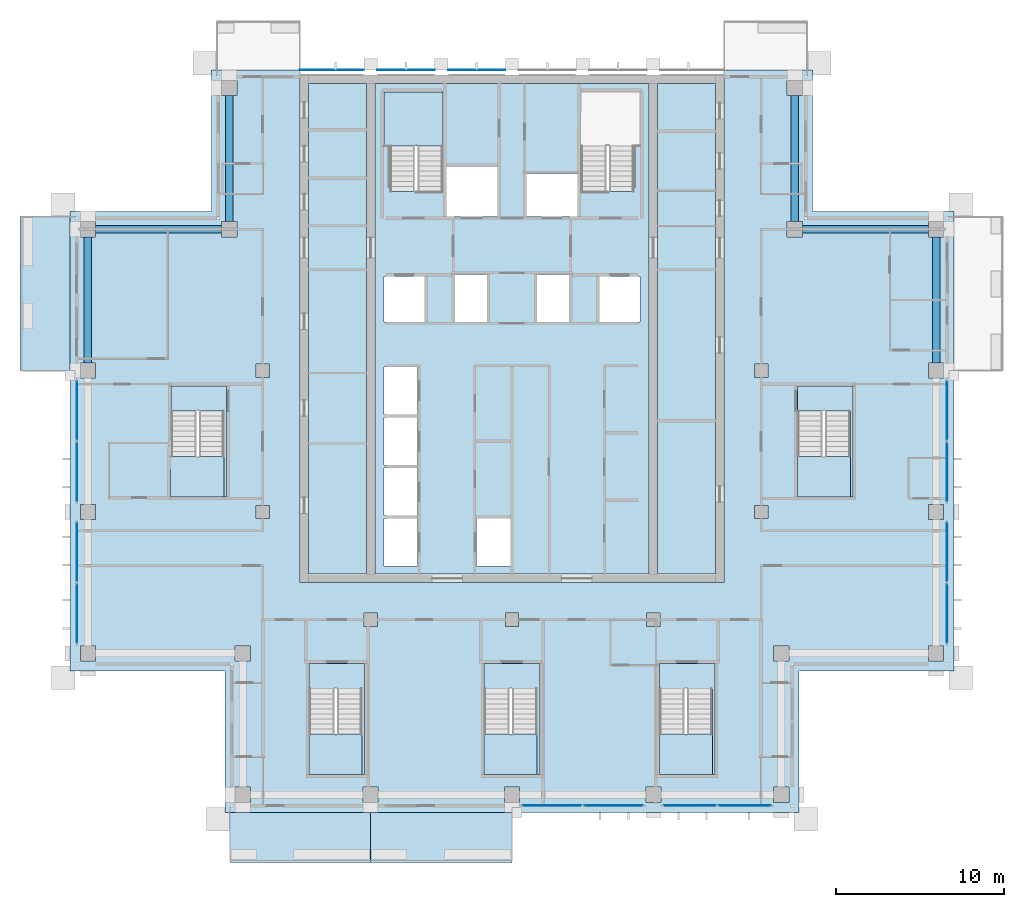
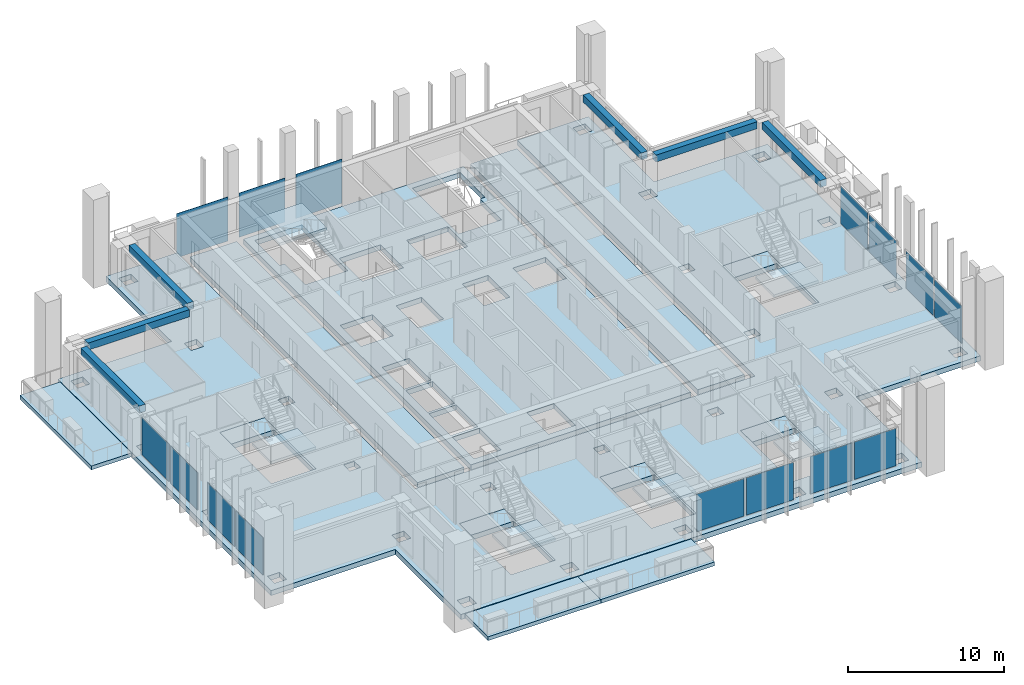
# One storey, part 5 of 16: 18 slabs, 15 plates, 6 beams, 12 elements without a shape of their own.
"""IFC4 building model written with IfcOpenShell, lengths in metres."""

import ifcopenshell
import ifcopenshell.guid

model = None  # the IFC model being written
_history = None  # IfcOwnerHistory: only IFC2X3 demands one
_inside = {}  # id of a spatial element -> (the spatial element, [elements in it])
_under = {}  # id of a project, library or spatial element -> (it, [spatial elements below it])
_declared = {}  # id of a project -> (the project, [libraries it declares])
_typed = {}  # id of a type object -> (the type object, [elements of that type])
_made_of = {}  # id of a material, layer set ... -> (it, [elements and type objects made of it])


def new_model(schema):
    """Start an empty IFC model of exactly this schema.

    Asked for "IFC4X3", IfcOpenShell would pick the latest addendum, in which some entities
    have other attributes; the version numbers below select the first issue.
    IFC2X3 requires an IfcOwnerHistory on every rooted entity: one is made here for all.
    """
    global model, _history
    if schema == "IFC4X3":
        model = ifcopenshell.file(schema_version=(4, 3, 0, 0))
    else:
        model = ifcopenshell.file(schema=schema)
    _inside.clear()
    _under.clear()
    _declared.clear()
    _typed.clear()
    _made_of.clear()
    _history = None
    if model.schema == "IFC2X3":
        org = make("IfcOrganization", Name="unknown")
        user = make(
            "IfcPersonAndOrganization",
            ThePerson=make("IfcPerson", FamilyName="unknown"),
            TheOrganization=org,
        )
        app = make(
            "IfcApplication",
            ApplicationDeveloper=org,
            Version="unknown",
            ApplicationFullName="unknown",
            ApplicationIdentifier="unknown",
        )
        _history = make(
            "IfcOwnerHistory",
            OwningUser=user,
            OwningApplication=app,
            ChangeAction="ADDED",
            CreationDate=0,
        )
    return model


def make(cls, **values):
    """One entity of the class cls with the attributes given. An attribute that is None is left unset."""
    return model.create_entity(
        cls, **{name: value for name, value in values.items() if value is not None}
    )


def rooted(cls, **values):
    """An entity with a GlobalId (a new one), such as an element, a storey or a relation."""
    return make(cls, GlobalId=ifcopenshell.guid.new(), OwnerHistory=_history, **values)


def si_unit(unit_type, name, prefix=None):
    """IfcSIUnit, for example si_unit("LENGTHUNIT", "METRE", prefix="MILLI")."""
    return make("IfcSIUnit", UnitType=unit_type, Prefix=prefix, Name=name)


def assignment(units):
    """IfcUnitAssignment: the units of a project."""
    return None if units is None else make("IfcUnitAssignment", Units=units)


def point(xyz):
    """IfcCartesianPoint."""
    return None if xyz is None else make("IfcCartesianPoint", Coordinates=xyz)


def direction(xyz):
    """IfcDirection."""
    return None if xyz is None else make("IfcDirection", DirectionRatios=xyz)


def frame(location, z_axis=None, x_axis=None):
    """IfcAxis2Placement3D, a coordinate frame: its origin and axes. An axis left out is left unset."""
    return make(
        "IfcAxis2Placement3D",
        Location=point(location),
        Axis=direction(z_axis),
        RefDirection=direction(x_axis),
    )


def frame_2d(location, x_axis=None):
    """IfcAxis2Placement2D, a coordinate frame in the plane: its origin and x axis."""
    return make(
        "IfcAxis2Placement2D", Location=point(location), RefDirection=direction(x_axis)
    )


def origin():
    """The frame at (0, 0, 0) with its axes left unset."""
    return frame((0.0, 0.0, 0.0))


def origin_2d():
    """The frame at (0, 0) in the plane with its x axis left unset."""
    return frame_2d((0.0, 0.0))


def place(relative_to, where):
    """IfcLocalPlacement: puts the frame where relative to a parent placement (None: the world)."""
    return make(
        "IfcLocalPlacement", PlacementRelTo=relative_to, RelativePlacement=where
    )


def context(
    kind, dimensions, precision=None, world=None, true_north=None, identifier=None
):
    """IfcGeometricRepresentationContext, for example the 3D "Model" context."""
    return make(
        "IfcGeometricRepresentationContext",
        ContextIdentifier=identifier,
        ContextType=kind,
        CoordinateSpaceDimension=dimensions,
        Precision=precision,
        WorldCoordinateSystem=world,
        TrueNorth=true_north,
    )


def subcontext(parent, identifier, kind, view, scale=None):
    """IfcGeometricRepresentationSubContext, for example "Body" below "Model"."""
    return make(
        "IfcGeometricRepresentationSubContext",
        ContextIdentifier=identifier,
        ContextType=kind,
        ParentContext=parent,
        TargetScale=scale,
        TargetView=view,
    )


def project(units=None, contexts=None):
    """IfcProject with its units and contexts."""
    return rooted(
        "IfcProject",
        Name="project",
        RepresentationContexts=contexts,
        UnitsInContext=assignment(units),
    )


def spatial(cls, under=None, at=None, **own):
    """A site, building, storey or space (cls), placed at a placement, below another one or the project."""
    s = rooted(cls, ObjectPlacement=at, **own)
    if under is not None:
        _under.setdefault(under.id(), (under, []))[1].append(s)
    return s


def polyline(points):
    """IfcPolyline through the points."""
    return make("IfcPolyline", Points=[point(p) for p in points])


def profile(cls, at=None, kind="AREA", **sizes):
    """A parametric profile (cls). Its sizes go by their IFC names, for example OverallWidth=200.0."""
    return make(cls, ProfileType=kind, Position=at, **sizes)


def rectangle(**sizes):
    """IfcRectangleProfileDef."""
    return profile("IfcRectangleProfileDef", **sizes)


def outline(outer, holes=None, kind="AREA"):
    """IfcArbitraryClosedProfileDef: a profile drawn as a closed curve; with holes, ...WithVoids."""
    if holes is None:
        return make("IfcArbitraryClosedProfileDef", ProfileType=kind, OuterCurve=outer)
    return make(
        "IfcArbitraryProfileDefWithVoids",
        ProfileType=kind,
        OuterCurve=outer,
        InnerCurves=holes,
    )


def extrude(swept, where, along, depth):
    """IfcExtrudedAreaSolid: the profile swept, set in the frame where, extruded along a direction by depth."""
    return make(
        "IfcExtrudedAreaSolid",
        SweptArea=swept,
        Position=where,
        ExtrudedDirection=direction(along),
        Depth=depth,
    )


def shape(context_of_items, identifier, shape_type, items):
    """IfcShapeRepresentation: the items that make up one representation, for example the "Body"."""
    return make(
        "IfcShapeRepresentation",
        ContextOfItems=context_of_items,
        RepresentationIdentifier=identifier,
        RepresentationType=shape_type,
        Items=items,
    )


def material(Name=None, Category=None):
    """IfcMaterial."""
    return make("IfcMaterial", Name=Name, Category=Category)


def layer(
    of_material, thickness, ventilated=None, Name=None, Category=None, Priority=None
):
    """IfcMaterialLayer: one layer of a wall or slab, of a material (None: an air gap)."""
    return make(
        "IfcMaterialLayer",
        Material=of_material,
        LayerThickness=thickness,
        IsVentilated=ventilated,
        Name=Name,
        Category=Category,
        Priority=Priority,
    )


def layer_set(layers, Name=None):
    """IfcMaterialLayerSet."""
    return make("IfcMaterialLayerSet", MaterialLayers=layers, LayerSetName=Name)


def material_profile(
    of_material, cross_section, Name=None, Category=None, Priority=None
):
    """IfcMaterialProfile: a cross section and its material."""
    return make(
        "IfcMaterialProfile",
        Name=Name,
        Material=of_material,
        Profile=cross_section,
        Priority=Priority,
        Category=Category,
    )


def profile_set(profiles, Name=None, composite=None):
    """IfcMaterialProfileSet."""
    return make(
        "IfcMaterialProfileSet",
        Name=Name,
        MaterialProfiles=profiles,
        CompositeProfile=composite,
    )


def made_of(thing, what):
    """Note that an element or type object is made of a material, layer set ...; save() writes the relation."""
    if what is not None:
        _made_of.setdefault(what.id(), (what, []))[1].append(thing)
    return thing


def type_object(cls, material=None, **own):
    """A type object (cls), such as IfcWallType, which elements share."""
    return made_of(rooted(cls, **own), material)


def element(
    cls,
    number,
    at=None,
    inside=None,
    cuts=None,
    type_object=None,
    material=None,
    context=None,
    identifier="Body",
    shape_type=None,
    held_by="IfcProductDefinitionShape",
    body=None,
    shapes=None,
    **own,
):
    """One element of the class cls, such as IfcWall. Its Tag is "e" and its number.

    at: its placement. inside: the storey or other place that contains it. cuts: it is an
    opening in that element (IfcRelVoidsElement). A single representation is given by context,
    identifier, shape_type and body (its items); several are given by shapes. held_by: the class
    of the entity that holds the representations. save() writes the other relations.
    """
    e = rooted(cls, Tag="e%d" % number, ObjectPlacement=at, **own)
    if body is not None:
        shapes = [shape(context, identifier, shape_type, body)]
    if shapes is not None:
        e.Representation = make(held_by, Representations=shapes)
    if inside is not None:
        _inside.setdefault(inside.id(), (inside, []))[1].append(e)
    if cuts is not None:
        rooted(
            "IfcRelVoidsElement", RelatingBuildingElement=cuts, RelatedOpeningElement=e
        )
    if type_object is not None:
        _typed.setdefault(type_object.id(), (type_object, []))[1].append(e)
    return made_of(e, material)


def aggregate(whole, parts):
    """IfcRelAggregates: a whole, such as a stair, and the parts it consists of."""
    return rooted("IfcRelAggregates", RelatingObject=whole, RelatedObjects=parts)


def save(model, path):
    """Write the relations noted so far, then the file.

    IfcRelAggregates (storeys below a building ...), IfcRelContainedInSpatialStructure (elements
    in a storey), IfcRelDefinesByType, IfcRelAssociatesMaterial and IfcRelDeclares: one each for
    every whole, place, type object, material and project.
    """
    for whole, parts in _under.values():
        aggregate(whole, parts)
    for where, things in _inside.values():
        rooted(
            "IfcRelContainedInSpatialStructure",
            RelatedElements=things,
            RelatingStructure=where,
        )
    for kind, things in _typed.values():
        rooted("IfcRelDefinesByType", RelatedObjects=things, RelatingType=kind)
    for what, things in _made_of.values():
        rooted("IfcRelAssociatesMaterial", RelatedObjects=things, RelatingMaterial=what)
    for by, libraries in _declared.values():
        rooted("IfcRelDeclares", RelatingContext=by, RelatedDefinitions=libraries)
    model.write(path)


model = new_model("IFC4")

# Units and contexts
model_context = context("Model", 3, precision=1e-05, world=origin(), true_north=direction((0.0, 1.0)))
body_context = subcontext(model_context, "Body", "Model", "MODEL_VIEW")
ifc_project = project(units=[si_unit("LENGTHUNIT", "METRE"), si_unit("AREAUNIT", "SQUARE_METRE"), si_unit("VOLUMEUNIT", "CUBIC_METRE"), si_unit("PLANEANGLEUNIT", "RADIAN"), si_unit("MASSUNIT", "GRAM", prefix="KILO")], contexts=[model_context])

# Site, building, storey
site_placement = place(None, origin())
site = spatial("IfcSite", under=ifc_project, at=site_placement, CompositionType="ELEMENT")
building_placement = place(site_placement, origin())
building = spatial("IfcBuilding", under=site, at=building_placement, Name="Vermilion Ogive Tower", CompositionType="ELEMENT")
storey_placement = place(building_placement, frame((0.0, 0.0, 233.800048828125)))
storey = spatial("IfcBuildingStorey", under=building, at=storey_placement, Name="L61", CompositionType="ELEMENT", Elevation=233.800048828125)

# Beams
ifc_material_1 = material(Name="Concrete B45", Category="concrete")
ifc_material_profile = material_profile(ifc_material_1, rectangle(XDim=0.449951171875, YDim=0.550048828125, at=origin_2d()), Name="450 x 550")
ifc_profile_set = profile_set([ifc_material_profile], Name="Concrete B45")
beam_type = type_object("IfcBeamType", Name="Edge beam 450 x 550 B45", PredefinedType="BEAM", material=ifc_profile_set)
for number, where, z_axis, x_axis, name in (
    (1, (25.199951171875, 4.64990234375, 2.77490234375), (0.0, 1.0, 0.0), (-1.0, 0.0, 0.0), "L61-EB-9"),
    (2, (24.75, 12.60009765625, 2.77490234375), (-1.0, 0.0, 0.0), (0.0, -1.0, 0.0), "L61-EB-10"),
    (3, (16.800048828125, 13.050048828125, 2.77490234375), (0.0, 1.0, 0.0), (-1.0, 0.0, 0.0), "L61-EB-11"),
    (4, (-16.800048828125, 20.550048828125, 2.77490234375), (0.0, -1.0, 0.0), (1.0, 0.0, 0.0), "L61-EB-12"),
    (5, (-17.25, 12.60009765625, 2.77490234375), (-1.0, 0.0, 0.0), (0.0, -1.0, 0.0), "L61-EB-13"),
    (6, (-25.199951171875, 12.14990234375, 2.77490234375), (0.0, -1.0, 0.0), (1.0, 0.0, 0.0), "L61-EB-14"),
):
    element("IfcBeam", number, at=place(storey_placement, frame(where, z_axis=z_axis, x_axis=x_axis)), inside=storey, type_object=beam_type, Name=name, PredefinedType="BEAM", context=body_context, shape_type="SweptSolid", body=[
        extrude(rectangle(XDim=0.449951171875, YDim=0.550048828125, at=origin_2d()), origin(), (0.0, 0.0, 1.0), 7.5),
    ])

# Slabs
ifc_material_2 = material(Name="Concrete B40", Category="concrete")
ifc_layer_1 = layer(ifc_material_2, 0.300048828125)
ifc_layer_set_1 = layer_set([ifc_layer_1], Name="Balcony slab")
slab_type_1 = type_object("IfcSlabType", Name="Balcony slab", PredefinedType="FLOOR", material=ifc_layer_set_1)
slab_1_placement = place(storey_placement, frame((0.0, 0.0, -0.340087890625)))
element("IfcSlab", 7, at=slab_1_placement, inside=storey, type_object=slab_type_1, Name="Balcony slab S01", PredefinedType="FLOOR", context=body_context, shape_type="SweptSolid", body=[
    extrude(outline(polyline([(-16.75, -25.030029296875), (-8.39990234375, -25.030029296875), (-8.39990234375, -22.050048828125), (-16.75, -22.050048828125), (-16.75, -25.030029296875)])), origin(), (0.0, 0.0, 1.0), 0.300048828125),
])
slab_2_placement = place(storey_placement, frame((0.0, 0.0, -0.340087890625)))
element("IfcSlab", 8, at=slab_2_placement, inside=storey, type_object=slab_type_1, Name="Balcony slab S02", PredefinedType="FLOOR", context=body_context, shape_type="SweptSolid", body=[
    extrude(outline(polyline([(-8.39990234375, -25.030029296875), (0.0, -25.030029296875), (0.0, -22.050048828125), (-8.39990234375, -22.050048828125), (-8.39990234375, -25.030029296875)])), origin(), (0.0, 0.0, 1.0), 0.300048828125),
])
slab_3_placement = place(storey_placement, frame((0.0, 0.0, -0.340087890625)))
element("IfcSlab", 9, at=slab_3_placement, inside=storey, type_object=slab_type_1, Name="Balcony slab W01", PredefinedType="FLOOR", context=body_context, shape_type="SweptSolid", body=[
    extrude(outline(polyline([(-29.22998046875, 13.35009765625), (-29.22998046875, 4.199951171875), (-26.25, 4.199951171875), (-26.25, 13.35009765625), (-29.22998046875, 13.35009765625)])), origin(), (0.0, 0.0, 1.0), 0.300048828125),
])

# Curtain wall, plates
ifc_material_3 = material(Name="Low-iron laminated glazing in aluminium frame", Category="aluminium")
curtain_wall_type = type_object("IfcCurtainWallType", Name="Curtain wall CW7", PredefinedType="NOTDEFINED", material=ifc_material_3)
curtain_wall_1_placement = place(storey_placement, origin())
curtain_wall_1 = element("IfcCurtainWall", 10, at=curtain_wall_1_placement, inside=storey, type_object=curtain_wall_type, Name="Glazed skin S3", PredefinedType="NOTDEFINED")
ifc_material_4 = material(Name="Low-iron laminated glazing in aluminium frame", Category="aluminium")
ifc_layer_2 = layer(ifc_material_4, 0.031982421875)
ifc_layer_set_2 = layer_set([ifc_layer_2], Name="CW7 glazing panel 32")
plate_type_1 = type_object("IfcPlateType", Name="CW7 glazing panel 32", PredefinedType="CURTAIN_PANEL", material=ifc_layer_set_2)
plate_1_placement = place(storey_placement, frame((2.3701171875, -21.64990234375, 0.06005859375), z_axis=(0.0, 0.0, 1.0), x_axis=(1.0, 0.0, 0.0)))
plate_1 = element("IfcPlate", 11, at=plate_1_placement, type_object=plate_type_1, Name="CW7-S3 panel 1.1", PredefinedType="CURTAIN_PANEL", context=body_context, shape_type="SweptSolid", body=[
    extrude(rectangle(XDim=3.47998046875, YDim=0.031982421875, at=origin_2d()), origin(), (0.0, 0.0, 1.0), 2.929931640625),
])
plate_2_placement = place(storey_placement, frame((6.030029296875, -21.64990234375, 0.06005859375), z_axis=(0.0, 0.0, 1.0), x_axis=(1.0, 0.0, 0.0)))
plate_2 = element("IfcPlate", 12, at=plate_2_placement, type_object=plate_type_1, Name="CW7-S3 panel 2.1", PredefinedType="CURTAIN_PANEL", context=body_context, shape_type="SweptSolid", body=[
    extrude(rectangle(XDim=3.47998046875, YDim=0.031982421875, at=origin_2d()), origin(), (0.0, 0.0, 1.0), 2.929931640625),
])
aggregate(curtain_wall_1, [plate_1, plate_2])

curtain_wall_2_placement = place(storey_placement, origin())
curtain_wall_2 = element("IfcCurtainWall", 13, at=curtain_wall_2_placement, inside=storey, type_object=curtain_wall_type, Name="Glazed skin S4", PredefinedType="NOTDEFINED")
plate_3_placement = place(storey_placement, frame((10.570068359375, -21.64990234375, 0.06005859375), z_axis=(0.0, 0.0, 1.0), x_axis=(1.0, 0.0, 0.0)))
plate_3 = element("IfcPlate", 14, at=plate_3_placement, type_object=plate_type_1, Name="CW7-S4 panel 1.1", PredefinedType="CURTAIN_PANEL", context=body_context, shape_type="SweptSolid", body=[
    extrude(rectangle(XDim=3.080078125, YDim=0.031982421875, at=origin_2d()), origin(), (0.0, 0.0, 1.0), 2.929931640625),
])
plate_4_placement = place(storey_placement, frame((13.830078125, -21.64990234375, 0.06005859375), z_axis=(0.0, 0.0, 1.0), x_axis=(1.0, 0.0, 0.0)))
plate_4 = element("IfcPlate", 15, at=plate_4_placement, type_object=plate_type_1, Name="CW7-S4 panel 2.1", PredefinedType="CURTAIN_PANEL", context=body_context, shape_type="SweptSolid", body=[
    extrude(rectangle(XDim=3.080078125, YDim=0.031982421875, at=origin_2d()), origin(), (0.0, 0.0, 1.0), 2.929931640625),
])
aggregate(curtain_wall_2, [plate_3, plate_4])

curtain_wall_3_placement = place(storey_placement, origin())
curtain_wall_3 = element("IfcCurtainWall", 16, at=curtain_wall_3_placement, inside=storey, type_object=curtain_wall_type, Name="Glazed skin E1", PredefinedType="NOTDEFINED")
plate_5_placement = place(storey_placement, frame((25.85009765625, -10.22998046875, 0.06005859375), z_axis=(0.0, 0.0, 1.0), x_axis=(0.0, 1.0, 0.0)))
plate_5 = element("IfcPlate", 17, at=plate_5_placement, type_object=plate_type_1, Name="CW7-E1 panel 1.1", PredefinedType="CURTAIN_PANEL", context=body_context, shape_type="SweptSolid", body=[
    extrude(rectangle(XDim=3.47998046875, YDim=0.031982421875, at=origin_2d()), origin(), (0.0, 0.0, 1.0), 2.929931640625),
])
plate_6_placement = place(storey_placement, frame((25.85009765625, -6.570068359375, 0.06005859375), z_axis=(0.0, 0.0, 1.0), x_axis=(0.0, 1.0, 0.0)))
plate_6 = element("IfcPlate", 18, at=plate_6_placement, type_object=plate_type_1, Name="CW7-E1 panel 2.1", PredefinedType="CURTAIN_PANEL", context=body_context, shape_type="SweptSolid", body=[
    extrude(rectangle(XDim=3.47998046875, YDim=0.031982421875, at=origin_2d()), origin(), (0.0, 0.0, 1.0), 2.929931640625),
])
aggregate(curtain_wall_3, [plate_5, plate_6])

curtain_wall_4_placement = place(storey_placement, origin())
curtain_wall_4 = element("IfcCurtainWall", 19, at=curtain_wall_4_placement, inside=storey, type_object=curtain_wall_type, Name="Glazed skin E2", PredefinedType="NOTDEFINED")
plate_7_placement = place(storey_placement, frame((25.85009765625, -1.830078125, 0.06005859375), z_axis=(0.0, 0.0, 1.0), x_axis=(0.0, 1.0, 0.0)))
plate_7 = element("IfcPlate", 20, at=plate_7_placement, type_object=plate_type_1, Name="CW7-E2 panel 1.1", PredefinedType="CURTAIN_PANEL", context=body_context, shape_type="SweptSolid", body=[
    extrude(rectangle(XDim=3.47998046875, YDim=0.031982421875, at=origin_2d()), origin(), (0.0, 0.0, 1.0), 2.929931640625),
])
plate_8_placement = place(storey_placement, frame((25.85009765625, 1.830078125, 0.06005859375), z_axis=(0.0, 0.0, 1.0), x_axis=(0.0, 1.0, 0.0)))
plate_8 = element("IfcPlate", 21, at=plate_8_placement, type_object=plate_type_1, Name="CW7-E2 panel 2.1", PredefinedType="CURTAIN_PANEL", context=body_context, shape_type="SweptSolid", body=[
    extrude(rectangle(XDim=3.47998046875, YDim=0.031982421875, at=origin_2d()), origin(), (0.0, 0.0, 1.0), 2.929931640625),
])
aggregate(curtain_wall_4, [plate_7, plate_8])

curtain_wall_5_placement = place(storey_placement, origin())
curtain_wall_5 = element("IfcCurtainWall", 22, at=curtain_wall_5_placement, inside=storey, type_object=curtain_wall_type, Name="Glazed skin W2", PredefinedType="NOTDEFINED")
plate_9_placement = place(storey_placement, frame((-25.85009765625, 1.830078125, 0.06005859375), z_axis=(0.0, 0.0, 1.0), x_axis=(0.0, -1.0, 0.0)))
plate_9 = element("IfcPlate", 23, at=plate_9_placement, type_object=plate_type_1, Name="CW7-W2 panel 1.1", PredefinedType="CURTAIN_PANEL", context=body_context, shape_type="SweptSolid", body=[
    extrude(rectangle(XDim=3.47998046875, YDim=0.031982421875, at=origin_2d()), origin(), (0.0, 0.0, 1.0), 2.929931640625),
])
plate_10_placement = place(storey_placement, frame((-25.85009765625, -1.830078125, 0.06005859375), z_axis=(0.0, 0.0, 1.0), x_axis=(0.0, -1.0, 0.0)))
plate_10 = element("IfcPlate", 24, at=plate_10_placement, type_object=plate_type_1, Name="CW7-W2 panel 2.1", PredefinedType="CURTAIN_PANEL", context=body_context, shape_type="SweptSolid", body=[
    extrude(rectangle(XDim=3.47998046875, YDim=0.031982421875, at=origin_2d()), origin(), (0.0, 0.0, 1.0), 2.929931640625),
])
aggregate(curtain_wall_5, [plate_9, plate_10])

curtain_wall_6_placement = place(storey_placement, origin())
curtain_wall_6 = element("IfcCurtainWall", 25, at=curtain_wall_6_placement, inside=storey, type_object=curtain_wall_type, Name="Glazed skin W3", PredefinedType="NOTDEFINED")
plate_11_placement = place(storey_placement, frame((-25.85009765625, -6.570068359375, 0.06005859375), z_axis=(0.0, 0.0, 1.0), x_axis=(0.0, -1.0, 0.0)))
plate_11 = element("IfcPlate", 26, at=plate_11_placement, type_object=plate_type_1, Name="CW7-W3 panel 1.1", PredefinedType="CURTAIN_PANEL", context=body_context, shape_type="SweptSolid", body=[
    extrude(rectangle(XDim=3.47998046875, YDim=0.031982421875, at=origin_2d()), origin(), (0.0, 0.0, 1.0), 2.929931640625),
])
plate_12_placement = place(storey_placement, frame((-25.85009765625, -10.22998046875, 0.06005859375), z_axis=(0.0, 0.0, 1.0), x_axis=(0.0, -1.0, 0.0)))
plate_12 = element("IfcPlate", 27, at=plate_12_placement, type_object=plate_type_1, Name="CW7-W3 panel 2.1", PredefinedType="CURTAIN_PANEL", context=body_context, shape_type="SweptSolid", body=[
    extrude(rectangle(XDim=3.47998046875, YDim=0.031982421875, at=origin_2d()), origin(), (0.0, 0.0, 1.0), 2.929931640625),
])
aggregate(curtain_wall_6, [plate_11, plate_12])

# Slabs
ifc_material_5 = material(Name="Concrete B40", Category="concrete")
ifc_layer_3 = layer(ifc_material_5, 0.39990234375)
ifc_layer_set_3 = layer_set([ifc_layer_3], Name="Core floor slab 400 B40")
slab_type_2 = type_object("IfcSlabType", Name="Core floor slab 400 B40", PredefinedType="FLOOR", material=ifc_layer_set_3)
slab_4_placement = place(storey_placement, frame((0.0, 0.0, -0.400146484375)))
element("IfcSlab", 28, at=slab_4_placement, inside=storey, type_object=slab_type_2, Name="L61-CK-FS1", PredefinedType="FLOOR", context=body_context, shape_type="SweptSolid", body=[
    extrude(outline(polyline([(-8.654052734375, 21.24609375), (-8.654052734375, -7.89599609375), (-12.095947265625, -7.89599609375), (-12.095947265625, 21.24609375), (-8.654052734375, 21.24609375)])), origin(), (0.0, 0.0, 1.0), 0.400146484375),
])
slab_5_placement = place(storey_placement, frame((0.0, 0.0, -0.400146484375)))
element("IfcSlab", 29, at=slab_5_placement, inside=storey, type_object=slab_type_2, Name="L61-CK-FS2", PredefinedType="FLOOR", context=body_context, shape_type="SweptSolid", body=[
    extrude(outline(polyline([(-8.14599609375, -7.89599609375), (8.14599609375, -7.89599609375), (8.14599609375, 21.24609375), (-8.14599609375, 21.24609375), (-8.14599609375, -7.89599609375)]), holes=[polyline([(-7.60009765625, -7.39990234375), (-7.60009765625, -4.60009765625), (-5.60009765625, -4.60009765625), (-5.60009765625, -7.39990234375), (-7.60009765625, -7.39990234375)]), polyline([(-7.60009765625, -4.39990234375), (-7.60009765625, -1.60009765625), (-5.60009765625, -1.60009765625), (-5.60009765625, -4.39990234375), (-7.60009765625, -4.39990234375)]), polyline([(-7.60009765625, -1.39990234375), (-7.60009765625, 1.39990234375), (-5.60009765625, 1.39990234375), (-5.60009765625, -1.39990234375), (-7.60009765625, -1.39990234375)]), polyline([(-7.60009765625, 1.60009765625), (-7.60009765625, 4.39990234375), (-5.60009765625, 4.39990234375), (-5.60009765625, 1.60009765625), (-7.60009765625, 1.60009765625)]), polyline([(-7.60009765625, 7.10009765625), (-7.60009765625, 9.800048828125), (-5.199951171875, 9.800048828125), (-5.199951171875, 7.10009765625), (-7.60009765625, 7.10009765625)]), polyline([(-3.39990234375, 9.89990234375), (-1.5, 9.89990234375), (-1.5, 7.10009765625), (-3.39990234375, 7.10009765625), (-3.39990234375, 9.89990234375)]), polyline([(-7.60009765625, 17.550048828125), (-7.60009765625, 20.75), (-4.10009765625, 20.75), (-4.10009765625, 14.85205078125), (-5.60009765625, 14.85205078125), (-5.60009765625, 14.85009765625), (-5.75, 14.85009765625), (-5.75, 14.85205078125), (-7.25, 14.85205078125), (-7.25, 17.550048828125), (-7.60009765625, 17.550048828125)]), polyline([(-2.10009765625, -7.39990234375), (-2.10009765625, -4.60009765625), (-0.10009765625, -4.60009765625), (-0.10009765625, -7.39990234375), (-2.10009765625, -7.39990234375)]), polyline([(5.199951171875, 7.10009765625), (5.199951171875, 9.800048828125), (7.60009765625, 9.800048828125), (7.60009765625, 7.10009765625), (5.199951171875, 7.10009765625)]), polyline([(1.5, 7.10009765625), (1.5, 9.89990234375), (3.39990234375, 9.89990234375), (3.39990234375, 7.10009765625), (1.5, 7.10009765625)]), polyline([(0.85009765625, 13.35009765625), (0.85009765625, 15.89990234375), (3.89990234375, 15.89990234375), (3.89990234375, 13.35009765625), (0.85009765625, 13.35009765625)]), polyline([(-3.89990234375, 16.300048828125), (-0.85009765625, 16.300048828125), (-0.85009765625, 13.35009765625), (-3.89990234375, 13.35009765625), (-3.89990234375, 16.300048828125)]), polyline([(5.75, 14.85009765625), (5.60009765625, 14.85009765625), (5.60009765625, 14.85205078125), (4.10009765625, 14.85205078125), (4.10009765625, 17.550048828125), (4.074951171875, 17.550048828125), (4.074951171875, 20.75), (7.60009765625, 20.75), (7.60009765625, 17.550048828125), (7.25, 17.550048828125), (7.25, 14.85205078125), (5.75, 14.85205078125), (5.75, 14.85009765625)])]), origin(), (0.0, 0.0, 1.0), 0.400146484375),
])
slab_6_placement = place(storey_placement, frame((0.0, 0.0, -0.400146484375)))
element("IfcSlab", 30, at=slab_6_placement, inside=storey, type_object=slab_type_2, Name="L61-CK-FS3", PredefinedType="FLOOR", context=body_context, shape_type="SweptSolid", body=[
    extrude(outline(polyline([(8.654052734375, 21.24609375), (12.095947265625, 21.24609375), (12.095947265625, -7.89599609375), (8.654052734375, -7.89599609375), (8.654052734375, 21.24609375)])), origin(), (0.0, 0.0, 1.0), 0.400146484375),
])
slab_7_placement = place(storey_placement, frame((0.0, 0.0, -0.400146484375)))
element("IfcSlab", 31, at=slab_7_placement, inside=storey, type_object=slab_type_2, Name="L61-SF-ST3-1", PredefinedType="FLOOR", context=body_context, shape_type="SweptSolid", body=[
    extrude(outline(polyline([(-12.050048828125, -13.199951171875), (-12.050048828125, -14.701904296875), (-10.550048828125, -14.701904296875), (-10.550048828125, -14.699951171875), (-10.39990234375, -14.699951171875), (-10.39990234375, -14.701904296875), (-8.89990234375, -14.701904296875), (-8.89990234375, -19.800048828125), (-8.75, -19.800048828125), (-8.75, -13.199951171875), (-12.050048828125, -13.199951171875)])), origin(), (0.0, 0.0, 1.0), 0.400146484375),
])
slab_8_placement = place(storey_placement, frame((0.0, 0.0, -0.400146484375)))
element("IfcSlab", 32, at=slab_8_placement, inside=storey, type_object=slab_type_2, Name="L61-SF-ST4-1", PredefinedType="FLOOR", context=body_context, shape_type="SweptSolid", body=[
    extrude(outline(polyline([(-1.64990234375, -13.199951171875), (-1.64990234375, -14.701904296875), (-0.14990234375, -14.701904296875), (-0.14990234375, -14.699951171875), (0.0, -14.699951171875), (0.0, -14.701904296875), (1.5, -14.701904296875), (1.5, -19.800048828125), (1.64990234375, -19.800048828125), (1.64990234375, -13.199951171875), (-1.64990234375, -13.199951171875)])), origin(), (0.0, 0.0, 1.0), 0.400146484375),
])
slab_9_placement = place(storey_placement, frame((0.0, 0.0, -0.400146484375)))
element("IfcSlab", 33, at=slab_9_placement, inside=storey, type_object=slab_type_2, Name="L61-SF-ST5-1", PredefinedType="FLOOR", context=body_context, shape_type="SweptSolid", body=[
    extrude(outline(polyline([(8.75, -13.199951171875), (8.75, -14.701904296875), (10.25, -14.701904296875), (10.25, -14.699951171875), (10.39990234375, -14.699951171875), (10.39990234375, -14.701904296875), (11.89990234375, -14.701904296875), (11.89990234375, -19.800048828125), (12.050048828125, -19.800048828125), (12.050048828125, -13.199951171875), (8.75, -13.199951171875)])), origin(), (0.0, 0.0, 1.0), 0.400146484375),
])
slab_10_placement = place(storey_placement, frame((0.0, 0.0, -0.400146484375)))
element("IfcSlab", 34, at=slab_10_placement, inside=storey, type_object=slab_type_2, Name="L61-SF-ST8-1", PredefinedType="FLOOR", context=body_context, shape_type="SweptSolid", body=[
    extrude(outline(polyline([(16.949951171875, 3.300048828125), (16.949951171875, 1.798095703125), (18.449951171875, 1.798095703125), (18.449951171875, 1.800048828125), (18.60009765625, 1.800048828125), (18.60009765625, 1.798095703125), (20.10009765625, 1.798095703125), (20.10009765625, -3.300048828125), (20.25, -3.300048828125), (20.25, 3.300048828125), (16.949951171875, 3.300048828125)])), origin(), (0.0, 0.0, 1.0), 0.400146484375),
])
slab_11_placement = place(storey_placement, frame((0.0, 0.0, -0.400146484375)))
element("IfcSlab", 35, at=slab_11_placement, inside=storey, type_object=slab_type_2, Name="L61-SF-ST9-1", PredefinedType="FLOOR", context=body_context, shape_type="SweptSolid", body=[
    extrude(outline(polyline([(-20.25, 3.300048828125), (-20.25, 1.798095703125), (-18.75, 1.798095703125), (-18.75, 1.800048828125), (-18.60009765625, 1.800048828125), (-18.60009765625, 1.798095703125), (-17.10009765625, 1.798095703125), (-17.10009765625, -3.300048828125), (-16.949951171875, -3.300048828125), (-16.949951171875, 3.300048828125), (-20.25, 3.300048828125)])), origin(), (0.0, 0.0, 1.0), 0.400146484375),
])

# Plates
ifc_material_6 = material(Name="Low-iron laminated glazing in aluminium frame", Category="aluminium")
ifc_layer_4 = layer(ifc_material_6, 0.031982421875)
ifc_layer_set_4 = layer_set([ifc_layer_4], Name="Glazed rainscreen sheet 32")
plate_type_2 = type_object("IfcPlateType", Name="Glazed rainscreen sheet 32", PredefinedType="SHEET", material=ifc_layer_set_4)
plate_13_placement = place(storey_placement, frame((-10.7099609375, 22.06591796875, -0.39990234375), z_axis=(0.0, 0.0, 1.0), x_axis=(1.0, 0.0, 0.0)))
element("IfcPlate", 36, at=plate_13_placement, inside=storey, type_object=plate_type_2, Name="Glazed rainscreen sheet N1", PredefinedType="SHEET", context=body_context, shape_type="SweptSolid", body=[
    extrude(rectangle(XDim=3.820068359375, YDim=0.031982421875, at=origin_2d()), origin(), (0.0, 0.0, 1.0), 3.449951171875),
])
for number, where, z_axis, x_axis, name in (
    (37, (-6.300048828125, 22.06591796875, -0.39990234375), (0.0, 0.0, 1.0), (1.0, 0.0, 0.0), "Glazed rainscreen sheet N2"),
    (38, (-2.10009765625, 22.06591796875, -0.39990234375), (0.0, 0.0, 1.0), (1.0, 0.0, 0.0), "Glazed rainscreen sheet N3"),
):
    element("IfcPlate", number, at=place(storey_placement, frame(where, z_axis=z_axis, x_axis=x_axis)), inside=storey, type_object=plate_type_2, Name=name, PredefinedType="SHEET", context=body_context, shape_type="SweptSolid", body=[
        extrude(rectangle(XDim=3.39990234375, YDim=0.031982421875, at=origin_2d()), origin(), (0.0, 0.0, 1.0), 3.449951171875),
    ])

# Slab
ifc_material_7 = material(Name="Concrete B45", Category="concrete")
ifc_layer_5 = layer(ifc_material_7, 0.39990234375)
ifc_layer_set_5 = layer_set([ifc_layer_5], Name="Post-tensioned flat plate 400 B45")
slab_type_3 = type_object("IfcSlabType", Name="Post-tensioned flat plate 400 B45", PredefinedType="FLOOR", material=ifc_layer_set_5)
slab_12_placement = place(storey_placement, frame((0.0, 0.0, -0.400146484375)))
element("IfcSlab", 39, at=slab_12_placement, inside=storey, type_object=slab_type_3, Name="L61-SL-1", PredefinedType="FLOOR", context=body_context, shape_type="SweptSolid", body=[
    extrude(outline(polyline([(-26.25, -13.64990234375), (-17.050048828125, -13.64990234375), (-17.050048828125, -22.050048828125), (17.050048828125, -22.050048828125), (17.050048828125, -13.64990234375), (26.25, -13.64990234375), (26.25, 13.64990234375), (17.85009765625, 13.64990234375), (17.85009765625, 22.050048828125), (12.60009765625, 22.050048828125), (12.60009765625, -8.39990234375), (-12.60009765625, -8.39990234375), (-12.60009765625, 22.050048828125), (-17.85009765625, 22.050048828125), (-17.85009765625, 13.64990234375), (-26.25, 13.64990234375), (-26.25, -13.64990234375)]), holes=[polyline([(25.64990234375, -3.75), (25.64990234375, -4.64990234375), (24.75, -4.64990234375), (24.75, -3.75), (25.64990234375, -3.75)]), polyline([(25.64990234375, -12.14990234375), (25.64990234375, -13.050048828125), (24.75, -13.050048828125), (24.75, -12.14990234375), (25.64990234375, -12.14990234375)]), polyline([(25.64990234375, 12.14990234375), (24.75, 12.14990234375), (24.75, 13.050048828125), (25.64990234375, 13.050048828125), (25.64990234375, 12.14990234375)]), polyline([(25.64990234375, 3.75), (24.75, 3.75), (24.75, 4.64990234375), (25.64990234375, 4.64990234375), (25.64990234375, 3.75)]), polyline([(20.25, -3.2998046875), (20.25, -3.300048828125), (16.949951171875, -3.300048828125), (16.949951171875, 3.300048828125), (20.25, 3.300048828125), (20.25, -0.89990234375), (20.275146484375, -0.89990234375), (20.275146484375, -3.2998046875), (20.25, -3.2998046875)]), polyline([(17.25, 13.050048828125), (17.25, 12.14990234375), (16.35009765625, 12.14990234375), (16.35009765625, 13.050048828125), (17.25, 13.050048828125)]), polyline([(17.25, 20.550048828125), (16.35009765625, 20.550048828125), (16.35009765625, 21.449951171875), (17.25, 21.449951171875), (17.25, 20.550048828125)]), polyline([(16.449951171875, -12.14990234375), (16.449951171875, -13.050048828125), (15.550048828125, -13.050048828125), (15.550048828125, -12.14990234375), (16.449951171875, -12.14990234375)]), polyline([(16.449951171875, -20.550048828125), (16.449951171875, -21.449951171875), (15.550048828125, -21.449951171875), (15.550048828125, -20.550048828125), (16.449951171875, -20.550048828125)]), polyline([(15.199951171875, 4.60009765625), (15.199951171875, 3.800048828125), (14.39990234375, 3.800048828125), (14.39990234375, 4.60009765625), (15.199951171875, 4.60009765625)]), polyline([(15.199951171875, -4.60009765625), (14.39990234375, -4.60009765625), (14.39990234375, -3.800048828125), (15.199951171875, -3.800048828125), (15.199951171875, -4.60009765625)]), polyline([(12.050048828125, -13.199951171875), (12.050048828125, -19.800048828125), (8.75, -19.800048828125), (8.75, -13.199951171875), (12.050048828125, -13.199951171875)]), polyline([(8.85009765625, -20.550048828125), (8.85009765625, -21.449951171875), (7.949951171875, -21.449951171875), (7.949951171875, -20.550048828125), (8.85009765625, -20.550048828125)]), polyline([(8.800048828125, -11.0), (8.0, -11.0), (8.0, -10.199951171875), (8.800048828125, -10.199951171875), (8.800048828125, -11.0)]), polyline([(1.64990234375, -13.199951171875), (1.64990234375, -19.800048828125), (-1.64990234375, -19.800048828125), (-1.64990234375, -13.199951171875), (1.64990234375, -13.199951171875)]), polyline([(0.449951171875, -20.550048828125), (0.449951171875, -21.449951171875), (-0.449951171875, -21.449951171875), (-0.449951171875, -20.550048828125), (0.449951171875, -20.550048828125)]), polyline([(0.39990234375, -10.199951171875), (0.39990234375, -11.0), (-0.39990234375, -11.0), (-0.39990234375, -10.199951171875), (0.39990234375, -10.199951171875)]), polyline([(-7.949951171875, -20.550048828125), (-7.949951171875, -21.449951171875), (-8.85009765625, -21.449951171875), (-8.85009765625, -20.550048828125), (-7.949951171875, -20.550048828125)]), polyline([(-8.0, -10.199951171875), (-8.0, -11.0), (-8.800048828125, -11.0), (-8.800048828125, -10.199951171875), (-8.0, -10.199951171875)]), polyline([(-8.75, -13.199951171875), (-8.75, -19.800048828125), (-12.050048828125, -19.800048828125), (-12.050048828125, -13.199951171875), (-8.75, -13.199951171875)]), polyline([(-14.39990234375, 4.60009765625), (-14.39990234375, 3.800048828125), (-15.199951171875, 3.800048828125), (-15.199951171875, 4.60009765625), (-14.39990234375, 4.60009765625)]), polyline([(-14.39990234375, -4.60009765625), (-15.199951171875, -4.60009765625), (-15.199951171875, -3.800048828125), (-14.39990234375, -3.800048828125), (-14.39990234375, -4.60009765625)]), polyline([(-15.550048828125, -12.14990234375), (-15.550048828125, -13.050048828125), (-16.449951171875, -13.050048828125), (-16.449951171875, -12.14990234375), (-15.550048828125, -12.14990234375)]), polyline([(-15.550048828125, -20.550048828125), (-15.550048828125, -21.449951171875), (-16.449951171875, -21.449951171875), (-16.449951171875, -20.550048828125), (-15.550048828125, -20.550048828125)]), polyline([(-16.35009765625, 13.050048828125), (-16.35009765625, 12.14990234375), (-17.25, 12.14990234375), (-17.25, 13.050048828125), (-16.35009765625, 13.050048828125)]), polyline([(-16.35009765625, 20.550048828125), (-17.25, 20.550048828125), (-17.25, 21.449951171875), (-16.35009765625, 21.449951171875), (-16.35009765625, 20.550048828125)]), polyline([(-16.949951171875, 3.300048828125), (-16.949951171875, -3.300048828125), (-20.25, -3.300048828125), (-20.25, 3.300048828125), (-16.949951171875, 3.300048828125)]), polyline([(-24.75, 3.75), (-25.64990234375, 3.75), (-25.64990234375, 4.64990234375), (-24.75, 4.64990234375), (-24.75, 3.75)]), polyline([(-24.75, 13.050048828125), (-24.75, 12.14990234375), (-25.64990234375, 12.14990234375), (-25.64990234375, 13.050048828125), (-24.75, 13.050048828125)]), polyline([(-24.75, -3.75), (-24.75, -4.64990234375), (-25.64990234375, -4.64990234375), (-25.64990234375, -3.75), (-24.75, -3.75)]), polyline([(-24.75, -12.14990234375), (-24.75, -13.050048828125), (-25.64990234375, -13.050048828125), (-25.64990234375, -12.14990234375), (-24.75, -12.14990234375)])]), origin(), (0.0, 0.0, 1.0), 0.400146484375),
])

# Stair, slab
ifc_material_8 = material(Name="Concrete B40", Category="concrete")
stair_type = type_object("IfcStairType", Name="Exit stair 1500", PredefinedType="HALF_TURN_STAIR", material=ifc_material_8)
stair_1_placement = place(storey_placement, origin())
stair_1 = element("IfcStair", 40, at=stair_1_placement, inside=storey, type_object=stair_type, Name="L61 Exit Stair ST1", PredefinedType="HALF_TURN_STAIR")
ifc_material_9 = material(Name="Concrete B40", Category="concrete")
ifc_layer_6 = layer(ifc_material_9, 0.199951171875)
ifc_layer_set_6 = layer_set([ifc_layer_6], Name="Stair landing 200")
slab_type_4 = type_object("IfcSlabType", Name="Stair landing 200", PredefinedType="LANDING", material=ifc_layer_set_6)
slab_13_placement = place(storey_placement, frame((0.0, 0.0, 1.52490234375)))
slab_13 = element("IfcSlab", 41, at=slab_13_placement, type_object=slab_type_4, Name="ST1 landing 1", PredefinedType="LANDING", context=body_context, shape_type="SweptSolid", body=[
    extrude(outline(polyline([(-7.60009765625, 17.550048828125), (-7.25, 17.550048828125), (-7.25, 17.548095703125), (-5.75, 17.548095703125), (-5.75, 17.550048828125), (-5.60009765625, 17.550048828125), (-5.60009765625, 17.548095703125), (-4.10009765625, 17.548095703125), (-4.10009765625, 20.75), (-7.60009765625, 20.75), (-7.60009765625, 17.550048828125)])), origin(), (0.0, 0.0, 1.0), 0.199951171875),
])
aggregate(stair_1, [slab_13])

stair_2_placement = place(storey_placement, origin())
stair_2 = element("IfcStair", 42, at=stair_2_placement, inside=storey, type_object=stair_type, Name="L61 Exit Stair ST3", PredefinedType="HALF_TURN_STAIR")
slab_14_placement = place(storey_placement, frame((0.0, 0.0, 1.52490234375)))
slab_14 = element("IfcSlab", 43, at=slab_14_placement, type_object=slab_type_4, Name="ST3 landing 1", PredefinedType="LANDING", context=body_context, shape_type="SweptSolid", body=[
    extrude(outline(polyline([(-8.75, -17.39990234375), (-8.89990234375, -17.39990234375), (-8.89990234375, -17.39794921875), (-10.39990234375, -17.39794921875), (-10.39990234375, -17.39990234375), (-10.550048828125, -17.39990234375), (-10.550048828125, -17.39794921875), (-12.050048828125, -17.39794921875), (-12.050048828125, -17.402099609375), (-12.0498046875, -17.402099609375), (-12.0498046875, -19.7998046875), (-8.75, -19.7998046875), (-8.75, -17.39990234375)])), origin(), (0.0, 0.0, 1.0), 0.199951171875),
])
aggregate(stair_2, [slab_14])

stair_3_placement = place(storey_placement, origin())
stair_3 = element("IfcStair", 44, at=stair_3_placement, inside=storey, type_object=stair_type, Name="L61 Exit Stair ST4", PredefinedType="HALF_TURN_STAIR")
slab_15_placement = place(storey_placement, frame((0.0, 0.0, 1.52490234375)))
slab_15 = element("IfcSlab", 45, at=slab_15_placement, type_object=slab_type_4, Name="ST4 landing 1", PredefinedType="LANDING", context=body_context, shape_type="SweptSolid", body=[
    extrude(outline(polyline([(1.64990234375, -17.39990234375), (1.5, -17.39990234375), (1.5, -17.39794921875), (0.0, -17.39794921875), (0.0, -17.39990234375), (-0.14990234375, -17.39990234375), (-0.14990234375, -17.39794921875), (-1.64990234375, -17.39794921875), (-1.64990234375, -19.7998046875), (1.64990234375, -19.7998046875), (1.64990234375, -17.39990234375)])), origin(), (0.0, 0.0, 1.0), 0.199951171875),
])
aggregate(stair_3, [slab_15])

stair_4_placement = place(storey_placement, origin())
stair_4 = element("IfcStair", 46, at=stair_4_placement, inside=storey, type_object=stair_type, Name="L61 Exit Stair ST5", PredefinedType="HALF_TURN_STAIR")
slab_16_placement = place(storey_placement, frame((0.0, 0.0, 1.52490234375)))
slab_16 = element("IfcSlab", 47, at=slab_16_placement, type_object=slab_type_4, Name="ST5 landing 1", PredefinedType="LANDING", context=body_context, shape_type="SweptSolid", body=[
    extrude(outline(polyline([(12.0498046875, -17.39990234375), (11.89990234375, -17.39990234375), (11.89990234375, -17.39794921875), (10.39990234375, -17.39794921875), (10.39990234375, -17.39990234375), (10.25, -17.39990234375), (10.25, -17.39794921875), (8.75, -17.39794921875), (8.75, -17.39990234375), (8.75, -17.39990234375), (8.75, -19.7998046875), (12.0498046875, -19.7998046875), (12.0498046875, -17.39990234375)])), origin(), (0.0, 0.0, 1.0), 0.199951171875),
])
aggregate(stair_4, [slab_16])

stair_5_placement = place(storey_placement, origin())
stair_5 = element("IfcStair", 48, at=stair_5_placement, inside=storey, type_object=stair_type, Name="L61 Exit Stair ST8", PredefinedType="HALF_TURN_STAIR")
slab_17_placement = place(storey_placement, frame((0.0, 0.0, 1.52490234375)))
slab_17 = element("IfcSlab", 49, at=slab_17_placement, type_object=slab_type_4, Name="ST8 landing 1", PredefinedType="LANDING", context=body_context, shape_type="SweptSolid", body=[
    extrude(outline(polyline([(20.25, -0.89990234375), (20.10009765625, -0.89990234375), (20.10009765625, -0.89794921875), (18.60009765625, -0.89794921875), (18.60009765625, -0.89990234375), (18.449951171875, -0.89990234375), (18.449951171875, -0.89794921875), (16.949951171875, -0.89794921875), (16.949951171875, -0.902099609375), (16.9501953125, -0.902099609375), (16.9501953125, -3.2998046875), (20.25, -3.2998046875), (20.25, -0.89990234375)])), origin(), (0.0, 0.0, 1.0), 0.199951171875),
])
aggregate(stair_5, [slab_17])

stair_6_placement = place(storey_placement, origin())
stair_6 = element("IfcStair", 50, at=stair_6_placement, inside=storey, type_object=stair_type, Name="L61 Exit Stair ST9", PredefinedType="HALF_TURN_STAIR")
slab_18_placement = place(storey_placement, frame((0.0, 0.0, 1.52490234375)))
slab_18 = element("IfcSlab", 51, at=slab_18_placement, type_object=slab_type_4, Name="ST9 landing 1", PredefinedType="LANDING", context=body_context, shape_type="SweptSolid", body=[
    extrude(outline(polyline([(-16.9501953125, -0.89990234375), (-17.10009765625, -0.89990234375), (-17.10009765625, -0.89794921875), (-18.60009765625, -0.89794921875), (-18.60009765625, -0.89990234375), (-18.75, -0.89990234375), (-18.75, -0.89794921875), (-20.25, -0.89794921875), (-20.25, -0.89990234375), (-20.275146484375, -0.89990234375), (-20.275146484375, -3.2998046875), (-16.9501953125, -3.2998046875), (-16.9501953125, -0.89990234375)])), origin(), (0.0, 0.0, 1.0), 0.199951171875),
])
aggregate(stair_6, [slab_18])

save(model, "model.ifc")
